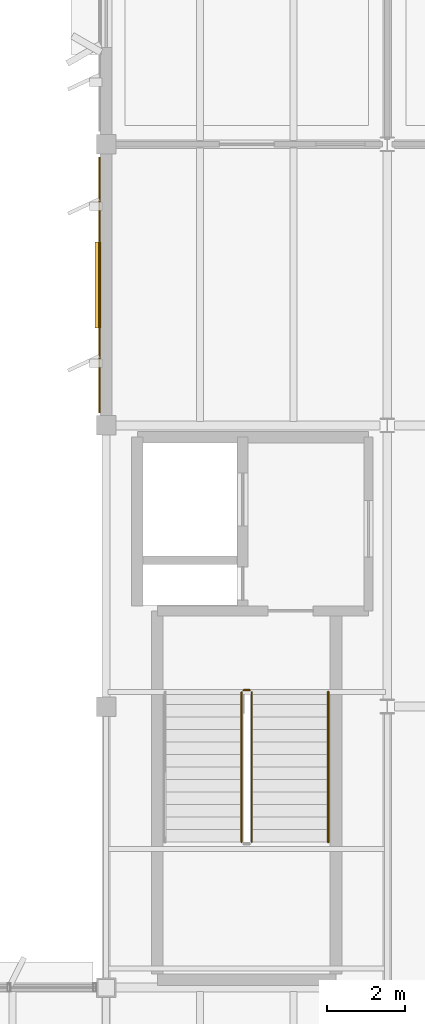
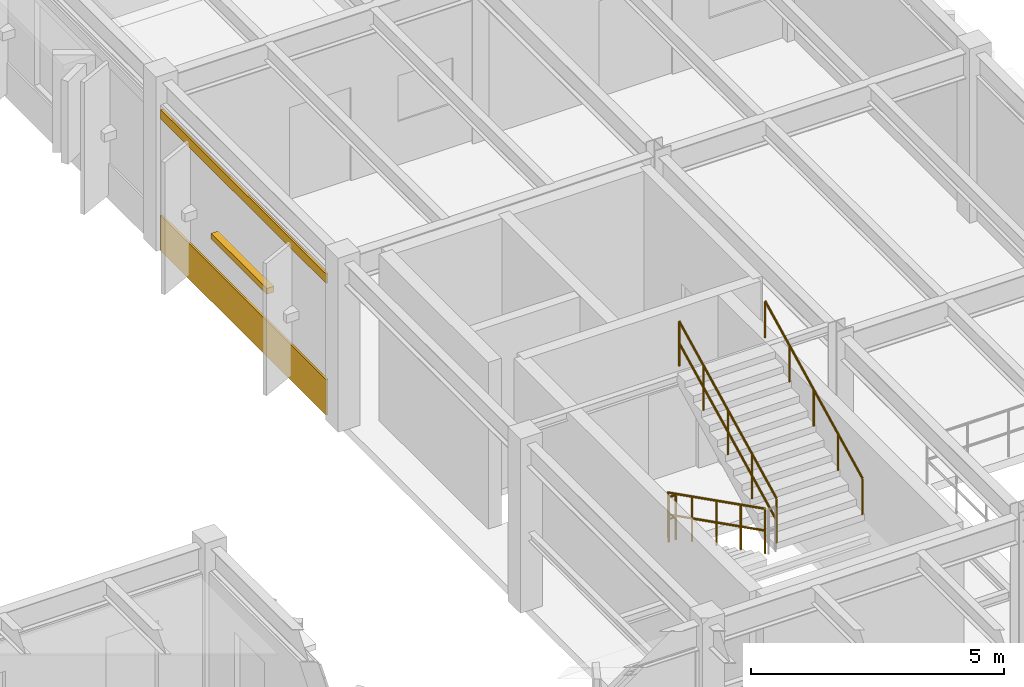
# One storey, part 79 of 85: 4 railings, 2 coverings, 1 shading device.
"""IFC4 building model written with IfcOpenShell, lengths in metres."""

from ifc_helpers import new_model, si_unit, direction, frame, frame_2d, origin, origin_2d, place, context, subcontext, project, spatial, rectangle, circle, extrude, material, layer, layer_set, type_object, element, save


model = new_model("IFC4")

# Units and contexts
model_context = context("Model", 3, precision=1e-05, world=origin(), true_north=direction((0.0, 1.0)))
body_context = subcontext(model_context, "Body", "Model", "MODEL_VIEW")
ifc_project = project(units=[si_unit("LENGTHUNIT", "METRE"), si_unit("AREAUNIT", "SQUARE_METRE"), si_unit("VOLUMEUNIT", "CUBIC_METRE"), si_unit("PLANEANGLEUNIT", "RADIAN"), si_unit("MASSUNIT", "GRAM", prefix="KILO")], contexts=[model_context])

# Site, building, storey
site_placement = place(None, origin())
site = spatial("IfcSite", under=ifc_project, at=site_placement, CompositionType="ELEMENT")
building_placement = place(site_placement, origin())
building = spatial("IfcBuilding", under=site, at=building_placement, Name="Sillqori Civic Hall", CompositionType="ELEMENT")
storey_placement = place(building_placement, frame((0.0, 0.0, 9.89990234375)))
storey = spatial("IfcBuildingStorey", under=building, at=storey_placement, Name="L03", CompositionType="ELEMENT", Elevation=9.89990234375)

# Coverings
ifc_material_1 = material(Name="Cochabamba Honed Limestone Cladding", Category="masonry")
ifc_layer_1 = layer(ifc_material_1, 0.044921875)
ifc_layer_set_1 = layer_set([ifc_layer_1], Name="Cochabamba Honed Limestone Cladding")
covering_type = type_object("IfcCoveringType", Name="COV-CLAD-LIME", PredefinedType="CLADDING", material=ifc_layer_set_1)
covering_1_placement = place(storey_placement, frame((122.22998046875, 65.1298828125, 0.0400390625), z_axis=(0.0, 0.0, 1.0), x_axis=(0.0, 1.0, 0.0)))
element("IfcCovering", 1, at=covering_1_placement, inside=storey, type_object=covering_type, Name="L03 limestone spandrel cladding L03-17-09-W", PredefinedType="CLADDING", context=body_context, shape_type="SweptSolid", body=[
    extrude(rectangle(XDim=6.5400390625, YDim=0.044921875, at=frame_2d((3.27001953125, 0.0))), origin(), (0.0, 0.0, 1.0), 0.860107421875),
])
covering_2_placement = place(storey_placement, frame((122.22998046875, 65.1298828125, 3.22021484375), z_axis=(0.0, 0.0, 1.0), x_axis=(0.0, 1.0, 0.0)))
element("IfcCovering", 2, at=covering_2_placement, inside=storey, type_object=covering_type, Name="L03 limestone frieze cladding L03-17-09-W", PredefinedType="CLADDING", context=body_context, shape_type="SweptSolid", body=[
    extrude(rectangle(XDim=6.5400390625, YDim=0.044921875, at=frame_2d((3.27001953125, 0.0))), origin(), (0.0, 0.0, 1.0), 0.226806640625),
])

# Railings
ifc_material_2 = material(Name="Brushed Stainless Steel 316 Handrail", Category="steel")
ifc_layer_2 = layer(ifc_material_2, 0.044921875)
ifc_layer_set_2 = layer_set([ifc_layer_2], Name="Brushed Stainless Steel 316 Handrail")
railing_type_1 = type_object("IfcRailingType", Name="RLG-CORE-092", PredefinedType="HANDRAIL", material=ifc_layer_set_2)
railing_1_placement = place(storey_placement, frame((128.090087890625, 54.1298828125, 2.26171875)))
element("IfcRailing", 3, at=railing_1_placement, inside=storey, type_object=railing_type_1, Name="L03 ST-02 stair handrail 2", PredefinedType="HANDRAIL", context=body_context, shape_type="SweptSolid", body=[
    extrude(circle(Radius=0.02392578125, at=origin_2d()), frame((0.0, 0.0, 0.8759765625), z_axis=(0.0, 0.892706606903, 0.450638340569), x_axis=(-1.0, 0.0, 0.0)), (0.0, 0.0, 1.0), 4.301513671875),
    extrude(circle(Radius=0.02099609375, at=origin_2d()), origin(), (0.0, 0.0, 1.0), 0.851806640625),
    extrude(circle(Radius=0.02099609375, at=origin_2d()), frame((0.0, 0.9599609375, 0.484619140625)), (0.0, 0.0, 1.0), 0.851806640625),
    extrude(circle(Radius=0.02099609375, at=origin_2d()), frame((0.0, 1.919921875, 0.96923828125)), (0.0, 0.0, 1.0), 0.851806640625),
    extrude(circle(Radius=0.02099609375, at=origin_2d()), frame((0.0, 2.880126953125, 1.453857421875)), (0.0, 0.0, 1.0), 0.851806640625),
    extrude(circle(Radius=0.02099609375, at=origin_2d()), frame((0.0, 3.840087890625, 1.9384765625)), (0.0, 0.0, 1.0), 0.851806640625),
])
ifc_material_3 = material(Name="Galvanized Painted Steel Guardrail", Category="steel")
ifc_layer_3 = layer(ifc_material_3, 0.050048828125)
ifc_layer_set_3 = layer_set([ifc_layer_3], Name="Galvanized Painted Steel Guardrail")
railing_type_2 = type_object("IfcRailingType", Name="RLG-CORE-110", PredefinedType="GUARDRAIL", material=ifc_layer_set_3)
railing_2_placement = place(storey_placement, frame((125.8701171875, 57.969970703125, 0.16162109375)))
element("IfcRailing", 4, at=railing_2_placement, inside=storey, type_object=railing_type_2, Name="L03 ST-02 stair guard 1", PredefinedType="GUARDRAIL", context=body_context, shape_type="SweptSolid", body=[
    extrude(circle(Radius=0.02392578125, at=origin_2d()), frame((0.0, 0.0, 1.076171875), z_axis=(0.0, -0.892706606903, 0.450638340569), x_axis=(1.0, 0.0, 0.0)), (0.0, 0.0, 1.0), 4.301513671875),
    extrude(circle(Radius=0.02392578125, at=origin_2d()), frame((0.0, 0.0, 0.550048828125), z_axis=(0.0, -0.892706606903, 0.450638340569), x_axis=(1.0, 0.0, 0.0)), (0.0, 0.0, 1.0), 4.301513671875),
    extrude(circle(Radius=0.02099609375, at=origin_2d()), origin(), (0.0, 0.0, 1.0), 1.052001953125),
    extrude(circle(Radius=0.02099609375, at=origin_2d()), frame((0.0, -0.9599609375, 0.484619140625)), (0.0, 0.0, 1.0), 1.052001953125),
    extrude(circle(Radius=0.02099609375, at=origin_2d()), frame((0.0, -1.919921875, 0.96923828125)), (0.0, 0.0, 1.0), 1.052001953125),
    extrude(circle(Radius=0.02099609375, at=origin_2d()), frame((0.0, -2.880126953125, 1.453857421875)), (0.0, 0.0, 1.0), 1.052001953125),
    extrude(circle(Radius=0.02099609375, at=origin_2d()), frame((0.0, -3.840087890625, 1.9384765625)), (0.0, 0.0, 1.0), 1.052001953125),
])
railing_3_placement = place(storey_placement, frame((126.1298828125, 54.1298828125, 2.26171875)))
element("IfcRailing", 5, at=railing_3_placement, inside=storey, type_object=railing_type_2, Name="L03 ST-02 stair guard 3", PredefinedType="GUARDRAIL", context=body_context, shape_type="SweptSolid", body=[
    extrude(circle(Radius=0.02392578125, at=origin_2d()), frame((0.0, 0.0, 1.076171875), z_axis=(0.0, 0.892706606903, 0.450638340569), x_axis=(-1.0, 0.0, 0.0)), (0.0, 0.0, 1.0), 4.301513671875),
    extrude(circle(Radius=0.02392578125, at=origin_2d()), frame((0.0, 0.0, 0.550048828125), z_axis=(0.0, 0.892706606903, 0.450638340569), x_axis=(-1.0, 0.0, 0.0)), (0.0, 0.0, 1.0), 4.301513671875),
    extrude(circle(Radius=0.02099609375, at=origin_2d()), origin(), (0.0, 0.0, 1.0), 1.052001953125),
    extrude(circle(Radius=0.02099609375, at=origin_2d()), frame((0.0, 0.9599609375, 0.484619140625)), (0.0, 0.0, 1.0), 1.052001953125),
    extrude(circle(Radius=0.02099609375, at=origin_2d()), frame((0.0, 1.919921875, 0.96923828125)), (0.0, 0.0, 1.0), 1.052001953125),
    extrude(circle(Radius=0.02099609375, at=origin_2d()), frame((0.0, 2.880126953125, 1.453857421875)), (0.0, 0.0, 1.0), 1.052001953125),
    extrude(circle(Radius=0.02099609375, at=origin_2d()), frame((0.0, 3.840087890625, 1.9384765625)), (0.0, 0.0, 1.0), 1.052001953125),
])
railing_4_placement = place(storey_placement, frame((125.919921875, 58.02001953125, 0.0)))
element("IfcRailing", 6, at=railing_4_placement, inside=storey, type_object=railing_type_2, Name="L03 ST-02 stair guard 4", PredefinedType="GUARDRAIL", context=body_context, shape_type="SweptSolid", body=[
    extrude(circle(Radius=0.02392578125, at=origin_2d()), frame((0.0, 0.0, 1.076171875), z_axis=(1.0, 0.0, 0.0), x_axis=(0.0, 1.0, 0.0)), (0.0, 0.0, 1.0), 0.16015625),
    extrude(circle(Radius=0.02392578125, at=origin_2d()), frame((0.0, 0.0, 0.550048828125), z_axis=(1.0, 0.0, 0.0), x_axis=(0.0, 1.0, 0.0)), (0.0, 0.0, 1.0), 0.16015625),
    extrude(circle(Radius=0.02099609375, at=origin_2d()), origin(), (0.0, 0.0, 1.0), 1.052001953125),
    extrude(circle(Radius=0.02099609375, at=origin_2d()), frame((0.16015625, 0.0, 0.0)), (0.0, 0.0, 1.0), 1.052001953125),
])

# Shading device
ifc_material_4 = material(Name="Anodized Aluminium Solar Control Louvre", Category="aluminium")
shading_device_type = type_object("IfcShadingDeviceType", Name="SHD-CLAU-220", PredefinedType="SHUTTER", material=ifc_material_4)
shading_device_placement = place(storey_placement, frame((122.18994140625, 68.39990234375, 1.673828125), z_axis=(0.0, 0.0, 1.0), x_axis=(0.0, 1.0, 0.0)))
element("IfcShadingDevice", 7, at=shading_device_placement, inside=storey, type_object=shading_device_type, Name="L03 pierced claustra screen L03-17-09-W", PredefinedType="SHUTTER", context=body_context, shape_type="SweptSolid", body=[
    extrude(rectangle(XDim=2.199951171875, YDim=0.159912109375, at=origin_2d()), origin(), (0.0, 0.0, 1.0), 0.139892578125),
])

save(model, "model.ifc")
